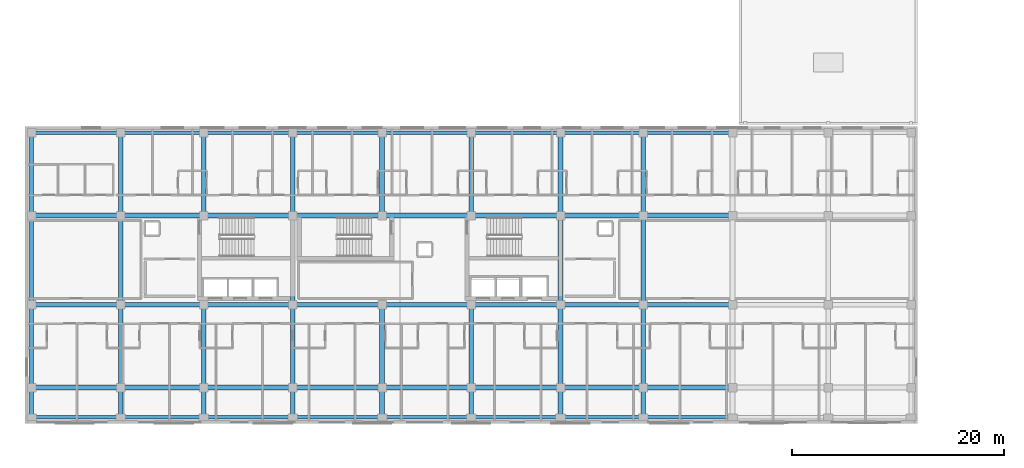
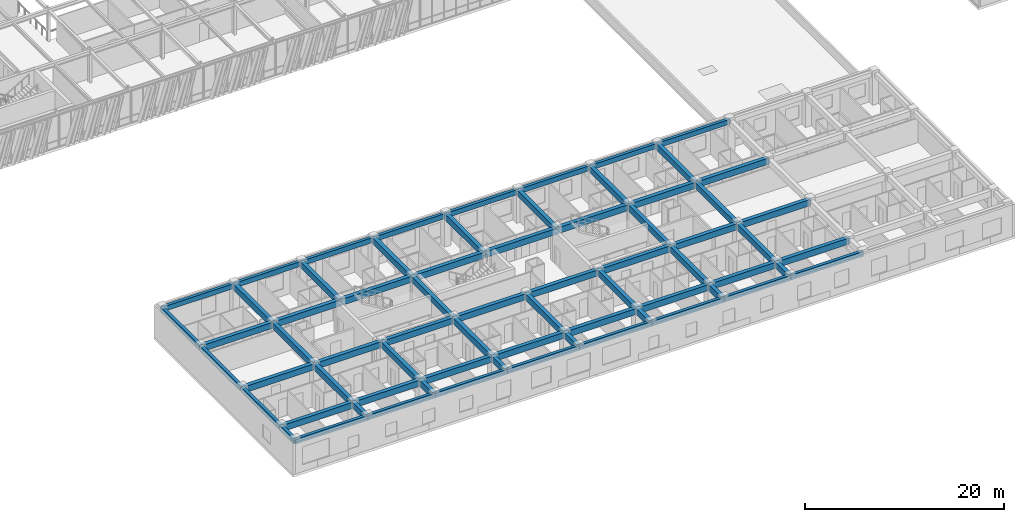
# One storey, part 20 of 127: 69 beams.
"""IFC4 building model written with IfcOpenShell, lengths in metres."""

from ifc_helpers import new_model, si_unit, direction, frame, origin, origin_2d, place, context, subcontext, project, spatial, rectangle, extrude, material, material_profile, profile_set, type_object, element, save


model = new_model("IFC4")

# Units and contexts
model_context = context("Model", 3, precision=1e-05, world=origin(), true_north=direction((0.0, 1.0)))
body_context = subcontext(model_context, "Body", "Model", "MODEL_VIEW")
ifc_project = project(units=[si_unit("LENGTHUNIT", "METRE"), si_unit("AREAUNIT", "SQUARE_METRE"), si_unit("VOLUMEUNIT", "CUBIC_METRE"), si_unit("PLANEANGLEUNIT", "RADIAN"), si_unit("MASSUNIT", "GRAM", prefix="KILO")], contexts=[model_context])

# Site, building, storey
site_placement = place(None, origin())
site = spatial("IfcSite", under=ifc_project, at=site_placement, CompositionType="ELEMENT")
building_placement = place(site_placement, origin())
building = spatial("IfcBuilding", under=site, at=building_placement, Name="Zayran Congress Hotel", CompositionType="ELEMENT")
storey_placement = place(building_placement, frame((0.0, 0.0, 10.800048828125)))
storey = spatial("IfcBuildingStorey", under=building, at=storey_placement, Name="L02", CompositionType="ELEMENT", Elevation=10.800048828125)

# Beams
ifc_material = material(Name="Concrete C40/50", Category="concrete")
ifc_material_profile_1 = material_profile(ifc_material, rectangle(XDim=0.449951171875, YDim=0.75, at=origin_2d()), Name="RC 450x750")
ifc_profile_set_1 = profile_set([ifc_material_profile_1], Name="Concrete C40/50")
beam_type_1 = type_object("IfcBeamType", Name="TP-BM-02", PredefinedType="BEAM", material=ifc_profile_set_1)
beam_1_placement = place(storey_placement, frame((9.0, 9.39990234375, 3.544921875), z_axis=(1.0, 0.0, 0.0), x_axis=(0.0, 1.0, 0.0)))
element("IfcBeam", 1, at=beam_1_placement, inside=storey, type_object=beam_type_1, Name="BM-V5-L02-1778", PredefinedType="BEAM", context=body_context, shape_type="SweptSolid", body=[
    extrude(rectangle(XDim=0.449951171875, YDim=0.75, at=origin_2d()), origin(), (0.0, 0.0, 1.0), 8.39990234375),
])
beam_2_placement = place(storey_placement, frame((17.39990234375, 9.39990234375, 3.544921875), z_axis=(1.0, 0.0, 0.0), x_axis=(0.0, 1.0, 0.0)))
element("IfcBeam", 2, at=beam_2_placement, inside=storey, type_object=beam_type_1, Name="BM-V5-L02-1779", PredefinedType="BEAM", context=body_context, shape_type="SweptSolid", body=[
    extrude(rectangle(XDim=0.449951171875, YDim=0.75, at=origin_2d()), origin(), (0.0, 0.0, 1.0), 7.800048828125),
])
beam_3_placement = place(storey_placement, frame((25.199951171875, 9.39990234375, 3.544921875), z_axis=(1.0, 0.0, 0.0), x_axis=(0.0, 1.0, 0.0)))
element("IfcBeam", 3, at=beam_3_placement, inside=storey, type_object=beam_type_1, Name="BM-V5-L02-1780", PredefinedType="BEAM", context=body_context, shape_type="SweptSolid", body=[
    extrude(rectangle(XDim=0.449951171875, YDim=0.75, at=origin_2d()), origin(), (0.0, 0.0, 1.0), 8.400146484375),
])
for number, where, z_axis, x_axis, name in (
    (4, (33.60009765625, 9.39990234375, 3.544921875), (1.0, 0.0, 0.0), (0.0, 1.0, 0.0), "BM-V5-L02-1781"),
    (5, (42.0, 9.39990234375, 3.544921875), (1.0, 0.0, 0.0), (0.0, 1.0, 0.0), "BM-V5-L02-1782"),
):
    element("IfcBeam", number, at=place(storey_placement, frame(where, z_axis=z_axis, x_axis=x_axis)), inside=storey, type_object=beam_type_1, Name=name, PredefinedType="BEAM", context=body_context, shape_type="SweptSolid", body=[
        extrude(rectangle(XDim=0.449951171875, YDim=0.75, at=origin_2d()), origin(), (0.0, 0.0, 1.0), 8.39990234375),
    ])
beam_4_placement = place(storey_placement, frame((50.39990234375, 9.39990234375, 3.544921875), z_axis=(1.0, 0.0, 0.0), x_axis=(0.0, 1.0, 0.0)))
element("IfcBeam", 6, at=beam_4_placement, inside=storey, type_object=beam_type_1, Name="BM-V5-L02-1783", PredefinedType="BEAM", context=body_context, shape_type="SweptSolid", body=[
    extrude(rectangle(XDim=0.449951171875, YDim=0.75, at=origin_2d()), origin(), (0.0, 0.0, 1.0), 8.400146484375),
])
beam_5_placement = place(storey_placement, frame((58.800048828125, 9.39990234375, 3.544921875), z_axis=(1.0, 0.0, 0.0), x_axis=(0.0, 1.0, 0.0)))
element("IfcBeam", 7, at=beam_5_placement, inside=storey, type_object=beam_type_1, Name="BM-V5-L02-1784", PredefinedType="BEAM", context=body_context, shape_type="SweptSolid", body=[
    extrude(rectangle(XDim=0.449951171875, YDim=0.75, at=origin_2d()), origin(), (0.0, 0.0, 1.0), 7.800048828125),
])
for number, where, z_axis, x_axis, name in (
    (8, (66.60009765625, 9.39990234375, 3.544921875), (1.0, 0.0, 0.0), (0.0, 1.0, 0.0), "BM-V5-L02-1785"),
    (9, (9.0, 17.199951171875, 3.544921875), (1.0, 0.0, 0.0), (0.0, 1.0, 0.0), "BM-V5-L02-1788"),
):
    element("IfcBeam", number, at=place(storey_placement, frame(where, z_axis=z_axis, x_axis=x_axis)), inside=storey, type_object=beam_type_1, Name=name, PredefinedType="BEAM", context=body_context, shape_type="SweptSolid", body=[
        extrude(rectangle(XDim=0.449951171875, YDim=0.75, at=origin_2d()), origin(), (0.0, 0.0, 1.0), 8.39990234375),
    ])
beam_6_placement = place(storey_placement, frame((17.39990234375, 17.199951171875, 3.544921875), z_axis=(1.0, 0.0, 0.0), x_axis=(0.0, 1.0, 0.0)))
element("IfcBeam", 10, at=beam_6_placement, inside=storey, type_object=beam_type_1, Name="BM-V5-L02-1789", PredefinedType="BEAM", context=body_context, shape_type="SweptSolid", body=[
    extrude(rectangle(XDim=0.449951171875, YDim=0.75, at=origin_2d()), origin(), (0.0, 0.0, 1.0), 7.800048828125),
])
beam_7_placement = place(storey_placement, frame((25.199951171875, 17.199951171875, 3.544921875), z_axis=(1.0, 0.0, 0.0), x_axis=(0.0, 1.0, 0.0)))
element("IfcBeam", 11, at=beam_7_placement, inside=storey, type_object=beam_type_1, Name="BM-V5-L02-1790", PredefinedType="BEAM", context=body_context, shape_type="SweptSolid", body=[
    extrude(rectangle(XDim=0.449951171875, YDim=0.75, at=origin_2d()), origin(), (0.0, 0.0, 1.0), 8.400146484375),
])
for number, where, z_axis, x_axis, name in (
    (12, (33.60009765625, 17.199951171875, 3.544921875), (1.0, 0.0, 0.0), (0.0, 1.0, 0.0), "BM-V5-L02-1791"),
    (13, (42.0, 17.199951171875, 3.544921875), (1.0, 0.0, 0.0), (0.0, 1.0, 0.0), "BM-V5-L02-1792"),
):
    element("IfcBeam", number, at=place(storey_placement, frame(where, z_axis=z_axis, x_axis=x_axis)), inside=storey, type_object=beam_type_1, Name=name, PredefinedType="BEAM", context=body_context, shape_type="SweptSolid", body=[
        extrude(rectangle(XDim=0.449951171875, YDim=0.75, at=origin_2d()), origin(), (0.0, 0.0, 1.0), 8.39990234375),
    ])
beam_8_placement = place(storey_placement, frame((50.39990234375, 17.199951171875, 3.544921875), z_axis=(1.0, 0.0, 0.0), x_axis=(0.0, 1.0, 0.0)))
element("IfcBeam", 14, at=beam_8_placement, inside=storey, type_object=beam_type_1, Name="BM-V5-L02-1793", PredefinedType="BEAM", context=body_context, shape_type="SweptSolid", body=[
    extrude(rectangle(XDim=0.449951171875, YDim=0.75, at=origin_2d()), origin(), (0.0, 0.0, 1.0), 8.400146484375),
])
beam_9_placement = place(storey_placement, frame((58.800048828125, 17.199951171875, 3.544921875), z_axis=(1.0, 0.0, 0.0), x_axis=(0.0, 1.0, 0.0)))
element("IfcBeam", 15, at=beam_9_placement, inside=storey, type_object=beam_type_1, Name="BM-V5-L02-1794", PredefinedType="BEAM", context=body_context, shape_type="SweptSolid", body=[
    extrude(rectangle(XDim=0.449951171875, YDim=0.75, at=origin_2d()), origin(), (0.0, 0.0, 1.0), 7.800048828125),
])
for number, where, z_axis, x_axis, name in (
    (16, (66.60009765625, 17.199951171875, 3.544921875), (1.0, 0.0, 0.0), (0.0, 1.0, 0.0), "BM-V5-L02-1795"),
    (17, (9.0, 25.60009765625, 3.544921875), (1.0, 0.0, 0.0), (0.0, 1.0, 0.0), "BM-V5-L02-1798"),
):
    element("IfcBeam", number, at=place(storey_placement, frame(where, z_axis=z_axis, x_axis=x_axis)), inside=storey, type_object=beam_type_1, Name=name, PredefinedType="BEAM", context=body_context, shape_type="SweptSolid", body=[
        extrude(rectangle(XDim=0.449951171875, YDim=0.75, at=origin_2d()), origin(), (0.0, 0.0, 1.0), 8.39990234375),
    ])
beam_10_placement = place(storey_placement, frame((17.39990234375, 25.60009765625, 3.544921875), z_axis=(1.0, 0.0, 0.0), x_axis=(0.0, 1.0, 0.0)))
element("IfcBeam", 18, at=beam_10_placement, inside=storey, type_object=beam_type_1, Name="BM-V5-L02-1799", PredefinedType="BEAM", context=body_context, shape_type="SweptSolid", body=[
    extrude(rectangle(XDim=0.449951171875, YDim=0.75, at=origin_2d()), origin(), (0.0, 0.0, 1.0), 7.800048828125),
])
beam_11_placement = place(storey_placement, frame((25.199951171875, 25.60009765625, 3.544921875), z_axis=(1.0, 0.0, 0.0), x_axis=(0.0, 1.0, 0.0)))
element("IfcBeam", 19, at=beam_11_placement, inside=storey, type_object=beam_type_1, Name="BM-V5-L02-1800", PredefinedType="BEAM", context=body_context, shape_type="SweptSolid", body=[
    extrude(rectangle(XDim=0.449951171875, YDim=0.75, at=origin_2d()), origin(), (0.0, 0.0, 1.0), 8.400146484375),
])
for number, where, z_axis, x_axis, name in (
    (20, (33.60009765625, 25.60009765625, 3.544921875), (1.0, 0.0, 0.0), (0.0, 1.0, 0.0), "BM-V5-L02-1801"),
    (21, (42.0, 25.60009765625, 3.544921875), (1.0, 0.0, 0.0), (0.0, 1.0, 0.0), "BM-V5-L02-1802"),
):
    element("IfcBeam", number, at=place(storey_placement, frame(where, z_axis=z_axis, x_axis=x_axis)), inside=storey, type_object=beam_type_1, Name=name, PredefinedType="BEAM", context=body_context, shape_type="SweptSolid", body=[
        extrude(rectangle(XDim=0.449951171875, YDim=0.75, at=origin_2d()), origin(), (0.0, 0.0, 1.0), 8.39990234375),
    ])
beam_12_placement = place(storey_placement, frame((50.39990234375, 25.60009765625, 3.544921875), z_axis=(1.0, 0.0, 0.0), x_axis=(0.0, 1.0, 0.0)))
element("IfcBeam", 22, at=beam_12_placement, inside=storey, type_object=beam_type_1, Name="BM-V5-L02-1803", PredefinedType="BEAM", context=body_context, shape_type="SweptSolid", body=[
    extrude(rectangle(XDim=0.449951171875, YDim=0.75, at=origin_2d()), origin(), (0.0, 0.0, 1.0), 8.400146484375),
])
beam_13_placement = place(storey_placement, frame((58.800048828125, 25.60009765625, 3.544921875), z_axis=(1.0, 0.0, 0.0), x_axis=(0.0, 1.0, 0.0)))
element("IfcBeam", 23, at=beam_13_placement, inside=storey, type_object=beam_type_1, Name="BM-V5-L02-1804", PredefinedType="BEAM", context=body_context, shape_type="SweptSolid", body=[
    extrude(rectangle(XDim=0.449951171875, YDim=0.75, at=origin_2d()), origin(), (0.0, 0.0, 1.0), 7.800048828125),
])
beam_14_placement = place(storey_placement, frame((66.60009765625, 25.60009765625, 3.544921875), z_axis=(1.0, 0.0, 0.0), x_axis=(0.0, 1.0, 0.0)))
element("IfcBeam", 24, at=beam_14_placement, inside=storey, type_object=beam_type_1, Name="BM-V5-L02-1805", PredefinedType="BEAM", context=body_context, shape_type="SweptSolid", body=[
    extrude(rectangle(XDim=0.449951171875, YDim=0.75, at=origin_2d()), origin(), (0.0, 0.0, 1.0), 8.39990234375),
])
beam_15_placement = place(storey_placement, frame((17.39990234375, 6.60009765625, 3.544921875), z_axis=(0.0, 1.0, 0.0), x_axis=(-1.0, 0.0, 0.0)))
element("IfcBeam", 25, at=beam_15_placement, inside=storey, type_object=beam_type_1, Name="BM-V5-L02-1822", PredefinedType="BEAM", context=body_context, shape_type="SweptSolid", body=[
    extrude(rectangle(XDim=0.449951171875, YDim=0.75, at=origin_2d()), origin(), (0.0, 0.0, 1.0), 2.7998046875),
])
beam_16_placement = place(storey_placement, frame((17.39990234375, 9.39990234375, 3.544921875), z_axis=(0.0, 1.0, 0.0), x_axis=(-1.0, 0.0, 0.0)))
element("IfcBeam", 26, at=beam_16_placement, inside=storey, type_object=beam_type_1, Name="BM-V5-L02-1823", PredefinedType="BEAM", context=body_context, shape_type="SweptSolid", body=[
    extrude(rectangle(XDim=0.449951171875, YDim=0.75, at=origin_2d()), origin(), (0.0, 0.0, 1.0), 7.800048828125),
])
beam_17_placement = place(storey_placement, frame((17.39990234375, 17.199951171875, 3.544921875), z_axis=(0.0, 1.0, 0.0), x_axis=(-1.0, 0.0, 0.0)))
element("IfcBeam", 27, at=beam_17_placement, inside=storey, type_object=beam_type_1, Name="BM-V5-L02-1824", PredefinedType="BEAM", context=body_context, shape_type="SweptSolid", body=[
    extrude(rectangle(XDim=0.449951171875, YDim=0.75, at=origin_2d()), origin(), (0.0, 0.0, 1.0), 8.400146484375),
])
beam_18_placement = place(storey_placement, frame((17.39990234375, 25.60009765625, 3.544921875), z_axis=(0.0, 1.0, 0.0), x_axis=(-1.0, 0.0, 0.0)))
element("IfcBeam", 28, at=beam_18_placement, inside=storey, type_object=beam_type_1, Name="BM-V5-L02-1825", PredefinedType="BEAM", context=body_context, shape_type="SweptSolid", body=[
    extrude(rectangle(XDim=0.449951171875, YDim=0.75, at=origin_2d()), origin(), (0.0, 0.0, 1.0), 7.7998046875),
])
beam_19_placement = place(storey_placement, frame((25.199951171875, 6.60009765625, 3.544921875), z_axis=(0.0, 1.0, 0.0), x_axis=(-1.0, 0.0, 0.0)))
element("IfcBeam", 29, at=beam_19_placement, inside=storey, type_object=beam_type_1, Name="BM-V5-L02-1826", PredefinedType="BEAM", context=body_context, shape_type="SweptSolid", body=[
    extrude(rectangle(XDim=0.449951171875, YDim=0.75, at=origin_2d()), origin(), (0.0, 0.0, 1.0), 2.7998046875),
])
beam_20_placement = place(storey_placement, frame((25.199951171875, 9.39990234375, 3.544921875), z_axis=(0.0, 1.0, 0.0), x_axis=(-1.0, 0.0, 0.0)))
element("IfcBeam", 30, at=beam_20_placement, inside=storey, type_object=beam_type_1, Name="BM-V5-L02-1827", PredefinedType="BEAM", context=body_context, shape_type="SweptSolid", body=[
    extrude(rectangle(XDim=0.449951171875, YDim=0.75, at=origin_2d()), origin(), (0.0, 0.0, 1.0), 7.800048828125),
])
beam_21_placement = place(storey_placement, frame((25.199951171875, 25.60009765625, 3.544921875), z_axis=(0.0, 1.0, 0.0), x_axis=(-1.0, 0.0, 0.0)))
element("IfcBeam", 31, at=beam_21_placement, inside=storey, type_object=beam_type_1, Name="BM-V5-L02-1828", PredefinedType="BEAM", context=body_context, shape_type="SweptSolid", body=[
    extrude(rectangle(XDim=0.449951171875, YDim=0.75, at=origin_2d()), origin(), (0.0, 0.0, 1.0), 7.7998046875),
])
beam_22_placement = place(storey_placement, frame((33.60009765625, 6.60009765625, 3.544921875), z_axis=(0.0, 1.0, 0.0), x_axis=(-1.0, 0.0, 0.0)))
element("IfcBeam", 32, at=beam_22_placement, inside=storey, type_object=beam_type_1, Name="BM-V5-L02-1829", PredefinedType="BEAM", context=body_context, shape_type="SweptSolid", body=[
    extrude(rectangle(XDim=0.449951171875, YDim=0.75, at=origin_2d()), origin(), (0.0, 0.0, 1.0), 2.7998046875),
])
beam_23_placement = place(storey_placement, frame((33.60009765625, 9.39990234375, 3.544921875), z_axis=(0.0, 1.0, 0.0), x_axis=(-1.0, 0.0, 0.0)))
element("IfcBeam", 33, at=beam_23_placement, inside=storey, type_object=beam_type_1, Name="BM-V5-L02-1830", PredefinedType="BEAM", context=body_context, shape_type="SweptSolid", body=[
    extrude(rectangle(XDim=0.449951171875, YDim=0.75, at=origin_2d()), origin(), (0.0, 0.0, 1.0), 7.800048828125),
])
beam_24_placement = place(storey_placement, frame((33.60009765625, 17.199951171875, 3.544921875), z_axis=(0.0, 1.0, 0.0), x_axis=(-1.0, 0.0, 0.0)))
element("IfcBeam", 34, at=beam_24_placement, inside=storey, type_object=beam_type_1, Name="BM-V5-L02-1831", PredefinedType="BEAM", context=body_context, shape_type="SweptSolid", body=[
    extrude(rectangle(XDim=0.449951171875, YDim=0.75, at=origin_2d()), origin(), (0.0, 0.0, 1.0), 8.400146484375),
])
beam_25_placement = place(storey_placement, frame((33.60009765625, 25.60009765625, 3.544921875), z_axis=(0.0, 1.0, 0.0), x_axis=(-1.0, 0.0, 0.0)))
element("IfcBeam", 35, at=beam_25_placement, inside=storey, type_object=beam_type_1, Name="BM-V5-L02-1832", PredefinedType="BEAM", context=body_context, shape_type="SweptSolid", body=[
    extrude(rectangle(XDim=0.449951171875, YDim=0.75, at=origin_2d()), origin(), (0.0, 0.0, 1.0), 7.7998046875),
])
beam_26_placement = place(storey_placement, frame((42.0, 6.60009765625, 3.544921875), z_axis=(0.0, 1.0, 0.0), x_axis=(-1.0, 0.0, 0.0)))
element("IfcBeam", 36, at=beam_26_placement, inside=storey, type_object=beam_type_1, Name="BM-V5-L02-1833", PredefinedType="BEAM", context=body_context, shape_type="SweptSolid", body=[
    extrude(rectangle(XDim=0.449951171875, YDim=0.75, at=origin_2d()), origin(), (0.0, 0.0, 1.0), 2.7998046875),
])
beam_27_placement = place(storey_placement, frame((42.0, 9.39990234375, 3.544921875), z_axis=(0.0, 1.0, 0.0), x_axis=(-1.0, 0.0, 0.0)))
element("IfcBeam", 37, at=beam_27_placement, inside=storey, type_object=beam_type_1, Name="BM-V5-L02-1834", PredefinedType="BEAM", context=body_context, shape_type="SweptSolid", body=[
    extrude(rectangle(XDim=0.449951171875, YDim=0.75, at=origin_2d()), origin(), (0.0, 0.0, 1.0), 7.800048828125),
])
beam_28_placement = place(storey_placement, frame((42.0, 25.60009765625, 3.544921875), z_axis=(0.0, 1.0, 0.0), x_axis=(-1.0, 0.0, 0.0)))
element("IfcBeam", 38, at=beam_28_placement, inside=storey, type_object=beam_type_1, Name="BM-V5-L02-1836", PredefinedType="BEAM", context=body_context, shape_type="SweptSolid", body=[
    extrude(rectangle(XDim=0.449951171875, YDim=0.75, at=origin_2d()), origin(), (0.0, 0.0, 1.0), 7.7998046875),
])
beam_29_placement = place(storey_placement, frame((50.39990234375, 6.60009765625, 3.544921875), z_axis=(0.0, 1.0, 0.0), x_axis=(-1.0, 0.0, 0.0)))
element("IfcBeam", 39, at=beam_29_placement, inside=storey, type_object=beam_type_1, Name="BM-V5-L02-1837", PredefinedType="BEAM", context=body_context, shape_type="SweptSolid", body=[
    extrude(rectangle(XDim=0.449951171875, YDim=0.75, at=origin_2d()), origin(), (0.0, 0.0, 1.0), 2.7998046875),
])
beam_30_placement = place(storey_placement, frame((50.39990234375, 9.39990234375, 3.544921875), z_axis=(0.0, 1.0, 0.0), x_axis=(-1.0, 0.0, 0.0)))
element("IfcBeam", 40, at=beam_30_placement, inside=storey, type_object=beam_type_1, Name="BM-V5-L02-1838", PredefinedType="BEAM", context=body_context, shape_type="SweptSolid", body=[
    extrude(rectangle(XDim=0.449951171875, YDim=0.75, at=origin_2d()), origin(), (0.0, 0.0, 1.0), 7.800048828125),
])
beam_31_placement = place(storey_placement, frame((50.39990234375, 25.60009765625, 3.544921875), z_axis=(0.0, 1.0, 0.0), x_axis=(-1.0, 0.0, 0.0)))
element("IfcBeam", 41, at=beam_31_placement, inside=storey, type_object=beam_type_1, Name="BM-V5-L02-1839", PredefinedType="BEAM", context=body_context, shape_type="SweptSolid", body=[
    extrude(rectangle(XDim=0.449951171875, YDim=0.75, at=origin_2d()), origin(), (0.0, 0.0, 1.0), 7.7998046875),
])
beam_32_placement = place(storey_placement, frame((58.800048828125, 6.60009765625, 3.544921875), z_axis=(0.0, 1.0, 0.0), x_axis=(-1.0, 0.0, 0.0)))
element("IfcBeam", 42, at=beam_32_placement, inside=storey, type_object=beam_type_1, Name="BM-V5-L02-1840", PredefinedType="BEAM", context=body_context, shape_type="SweptSolid", body=[
    extrude(rectangle(XDim=0.449951171875, YDim=0.75, at=origin_2d()), origin(), (0.0, 0.0, 1.0), 2.7998046875),
])
beam_33_placement = place(storey_placement, frame((58.800048828125, 9.39990234375, 3.544921875), z_axis=(0.0, 1.0, 0.0), x_axis=(-1.0, 0.0, 0.0)))
element("IfcBeam", 43, at=beam_33_placement, inside=storey, type_object=beam_type_1, Name="BM-V5-L02-1841", PredefinedType="BEAM", context=body_context, shape_type="SweptSolid", body=[
    extrude(rectangle(XDim=0.449951171875, YDim=0.75, at=origin_2d()), origin(), (0.0, 0.0, 1.0), 7.800048828125),
])
beam_34_placement = place(storey_placement, frame((58.800048828125, 17.199951171875, 3.544921875), z_axis=(0.0, 1.0, 0.0), x_axis=(-1.0, 0.0, 0.0)))
element("IfcBeam", 44, at=beam_34_placement, inside=storey, type_object=beam_type_1, Name="BM-V5-L02-1842", PredefinedType="BEAM", context=body_context, shape_type="SweptSolid", body=[
    extrude(rectangle(XDim=0.449951171875, YDim=0.75, at=origin_2d()), origin(), (0.0, 0.0, 1.0), 8.400146484375),
])
beam_35_placement = place(storey_placement, frame((58.800048828125, 25.60009765625, 3.544921875), z_axis=(0.0, 1.0, 0.0), x_axis=(-1.0, 0.0, 0.0)))
element("IfcBeam", 45, at=beam_35_placement, inside=storey, type_object=beam_type_1, Name="BM-V5-L02-1843", PredefinedType="BEAM", context=body_context, shape_type="SweptSolid", body=[
    extrude(rectangle(XDim=0.449951171875, YDim=0.75, at=origin_2d()), origin(), (0.0, 0.0, 1.0), 7.7998046875),
])
beam_36_placement = place(storey_placement, frame((66.60009765625, 6.60009765625, 3.544921875), z_axis=(0.0, 1.0, 0.0), x_axis=(-1.0, 0.0, 0.0)))
element("IfcBeam", 46, at=beam_36_placement, inside=storey, type_object=beam_type_1, Name="BM-V5-L02-1844", PredefinedType="BEAM", context=body_context, shape_type="SweptSolid", body=[
    extrude(rectangle(XDim=0.449951171875, YDim=0.75, at=origin_2d()), origin(), (0.0, 0.0, 1.0), 2.7998046875),
])
beam_37_placement = place(storey_placement, frame((66.60009765625, 9.39990234375, 3.544921875), z_axis=(0.0, 1.0, 0.0), x_axis=(-1.0, 0.0, 0.0)))
element("IfcBeam", 47, at=beam_37_placement, inside=storey, type_object=beam_type_1, Name="BM-V5-L02-1845", PredefinedType="BEAM", context=body_context, shape_type="SweptSolid", body=[
    extrude(rectangle(XDim=0.449951171875, YDim=0.75, at=origin_2d()), origin(), (0.0, 0.0, 1.0), 7.800048828125),
])
beam_38_placement = place(storey_placement, frame((66.60009765625, 17.199951171875, 3.544921875), z_axis=(0.0, 1.0, 0.0), x_axis=(-1.0, 0.0, 0.0)))
element("IfcBeam", 48, at=beam_38_placement, inside=storey, type_object=beam_type_1, Name="BM-V5-L02-1846", PredefinedType="BEAM", context=body_context, shape_type="SweptSolid", body=[
    extrude(rectangle(XDim=0.449951171875, YDim=0.75, at=origin_2d()), origin(), (0.0, 0.0, 1.0), 8.400146484375),
])
beam_39_placement = place(storey_placement, frame((66.60009765625, 25.60009765625, 3.544921875), z_axis=(0.0, 1.0, 0.0), x_axis=(-1.0, 0.0, 0.0)))
element("IfcBeam", 49, at=beam_39_placement, inside=storey, type_object=beam_type_1, Name="BM-V5-L02-1847", PredefinedType="BEAM", context=body_context, shape_type="SweptSolid", body=[
    extrude(rectangle(XDim=0.449951171875, YDim=0.75, at=origin_2d()), origin(), (0.0, 0.0, 1.0), 7.7998046875),
])
ifc_material_profile_2 = material_profile(ifc_material, rectangle(XDim=0.35009765625, YDim=0.60009765625, at=origin_2d()), Name="RC 350x600")
ifc_profile_set_2 = profile_set([ifc_material_profile_2], Name="Concrete C40/50")
beam_type_2 = type_object("IfcBeamType", Name="TP-SP-01", PredefinedType="SPANDREL", material=ifc_profile_set_2)
beam_40_placement = place(storey_placement, frame((9.0, 6.60009765625, 3.619873046875), z_axis=(1.0, 0.0, 0.0), x_axis=(0.0, 1.0, 0.0)))
element("IfcBeam", 50, at=beam_40_placement, inside=storey, type_object=beam_type_2, Name="BM-V5-L02-1768", PredefinedType="SPANDREL", context=body_context, shape_type="SweptSolid", body=[
    extrude(rectangle(XDim=0.35009765625, YDim=0.60009765625, at=origin_2d()), origin(), (0.0, 0.0, 1.0), 8.39990234375),
])
beam_41_placement = place(storey_placement, frame((17.39990234375, 6.60009765625, 3.619873046875), z_axis=(1.0, 0.0, 0.0), x_axis=(0.0, 1.0, 0.0)))
element("IfcBeam", 51, at=beam_41_placement, inside=storey, type_object=beam_type_2, Name="BM-V5-L02-1769", PredefinedType="SPANDREL", context=body_context, shape_type="SweptSolid", body=[
    extrude(rectangle(XDim=0.35009765625, YDim=0.60009765625, at=origin_2d()), origin(), (0.0, 0.0, 1.0), 7.800048828125),
])
beam_42_placement = place(storey_placement, frame((25.199951171875, 6.60009765625, 3.619873046875), z_axis=(1.0, 0.0, 0.0), x_axis=(0.0, 1.0, 0.0)))
element("IfcBeam", 52, at=beam_42_placement, inside=storey, type_object=beam_type_2, Name="BM-V5-L02-1770", PredefinedType="SPANDREL", context=body_context, shape_type="SweptSolid", body=[
    extrude(rectangle(XDim=0.35009765625, YDim=0.60009765625, at=origin_2d()), origin(), (0.0, 0.0, 1.0), 8.400146484375),
])
for number, where, z_axis, x_axis, name in (
    (53, (33.60009765625, 6.60009765625, 3.619873046875), (1.0, 0.0, 0.0), (0.0, 1.0, 0.0), "BM-V5-L02-1771"),
    (54, (42.0, 6.60009765625, 3.619873046875), (1.0, 0.0, 0.0), (0.0, 1.0, 0.0), "BM-V5-L02-1772"),
):
    element("IfcBeam", number, at=place(storey_placement, frame(where, z_axis=z_axis, x_axis=x_axis)), inside=storey, type_object=beam_type_2, Name=name, PredefinedType="SPANDREL", context=body_context, shape_type="SweptSolid", body=[
        extrude(rectangle(XDim=0.35009765625, YDim=0.60009765625, at=origin_2d()), origin(), (0.0, 0.0, 1.0), 8.39990234375),
    ])
beam_43_placement = place(storey_placement, frame((50.39990234375, 6.60009765625, 3.619873046875), z_axis=(1.0, 0.0, 0.0), x_axis=(0.0, 1.0, 0.0)))
element("IfcBeam", 55, at=beam_43_placement, inside=storey, type_object=beam_type_2, Name="BM-V5-L02-1773", PredefinedType="SPANDREL", context=body_context, shape_type="SweptSolid", body=[
    extrude(rectangle(XDim=0.35009765625, YDim=0.60009765625, at=origin_2d()), origin(), (0.0, 0.0, 1.0), 8.400146484375),
])
beam_44_placement = place(storey_placement, frame((58.800048828125, 6.60009765625, 3.619873046875), z_axis=(1.0, 0.0, 0.0), x_axis=(0.0, 1.0, 0.0)))
element("IfcBeam", 56, at=beam_44_placement, inside=storey, type_object=beam_type_2, Name="BM-V5-L02-1774", PredefinedType="SPANDREL", context=body_context, shape_type="SweptSolid", body=[
    extrude(rectangle(XDim=0.35009765625, YDim=0.60009765625, at=origin_2d()), origin(), (0.0, 0.0, 1.0), 7.800048828125),
])
for number, where, z_axis, x_axis, name in (
    (57, (66.60009765625, 6.60009765625, 3.619873046875), (1.0, 0.0, 0.0), (0.0, 1.0, 0.0), "BM-V5-L02-1775"),
    (58, (9.0, 33.39990234375, 3.619873046875), (1.0, 0.0, 0.0), (0.0, 1.0, 0.0), "BM-V5-L02-1808"),
):
    element("IfcBeam", number, at=place(storey_placement, frame(where, z_axis=z_axis, x_axis=x_axis)), inside=storey, type_object=beam_type_2, Name=name, PredefinedType="SPANDREL", context=body_context, shape_type="SweptSolid", body=[
        extrude(rectangle(XDim=0.35009765625, YDim=0.60009765625, at=origin_2d()), origin(), (0.0, 0.0, 1.0), 8.39990234375),
    ])
beam_45_placement = place(storey_placement, frame((17.39990234375, 33.39990234375, 3.619873046875), z_axis=(1.0, 0.0, 0.0), x_axis=(0.0, 1.0, 0.0)))
element("IfcBeam", 59, at=beam_45_placement, inside=storey, type_object=beam_type_2, Name="BM-V5-L02-1809", PredefinedType="SPANDREL", context=body_context, shape_type="SweptSolid", body=[
    extrude(rectangle(XDim=0.35009765625, YDim=0.60009765625, at=origin_2d()), origin(), (0.0, 0.0, 1.0), 7.800048828125),
])
beam_46_placement = place(storey_placement, frame((25.199951171875, 33.39990234375, 3.619873046875), z_axis=(1.0, 0.0, 0.0), x_axis=(0.0, 1.0, 0.0)))
element("IfcBeam", 60, at=beam_46_placement, inside=storey, type_object=beam_type_2, Name="BM-V5-L02-1810", PredefinedType="SPANDREL", context=body_context, shape_type="SweptSolid", body=[
    extrude(rectangle(XDim=0.35009765625, YDim=0.60009765625, at=origin_2d()), origin(), (0.0, 0.0, 1.0), 8.400146484375),
])
for number, where, z_axis, x_axis, name in (
    (61, (33.60009765625, 33.39990234375, 3.619873046875), (1.0, 0.0, 0.0), (0.0, 1.0, 0.0), "BM-V5-L02-1811"),
    (62, (42.0, 33.39990234375, 3.619873046875), (1.0, 0.0, 0.0), (0.0, 1.0, 0.0), "BM-V5-L02-1812"),
):
    element("IfcBeam", number, at=place(storey_placement, frame(where, z_axis=z_axis, x_axis=x_axis)), inside=storey, type_object=beam_type_2, Name=name, PredefinedType="SPANDREL", context=body_context, shape_type="SweptSolid", body=[
        extrude(rectangle(XDim=0.35009765625, YDim=0.60009765625, at=origin_2d()), origin(), (0.0, 0.0, 1.0), 8.39990234375),
    ])
beam_47_placement = place(storey_placement, frame((50.39990234375, 33.39990234375, 3.619873046875), z_axis=(1.0, 0.0, 0.0), x_axis=(0.0, 1.0, 0.0)))
element("IfcBeam", 63, at=beam_47_placement, inside=storey, type_object=beam_type_2, Name="BM-V5-L02-1813", PredefinedType="SPANDREL", context=body_context, shape_type="SweptSolid", body=[
    extrude(rectangle(XDim=0.35009765625, YDim=0.60009765625, at=origin_2d()), origin(), (0.0, 0.0, 1.0), 8.400146484375),
])
beam_48_placement = place(storey_placement, frame((58.800048828125, 33.39990234375, 3.619873046875), z_axis=(1.0, 0.0, 0.0), x_axis=(0.0, 1.0, 0.0)))
element("IfcBeam", 64, at=beam_48_placement, inside=storey, type_object=beam_type_2, Name="BM-V5-L02-1814", PredefinedType="SPANDREL", context=body_context, shape_type="SweptSolid", body=[
    extrude(rectangle(XDim=0.35009765625, YDim=0.60009765625, at=origin_2d()), origin(), (0.0, 0.0, 1.0), 7.800048828125),
])
beam_49_placement = place(storey_placement, frame((66.60009765625, 33.39990234375, 3.619873046875), z_axis=(1.0, 0.0, 0.0), x_axis=(0.0, 1.0, 0.0)))
element("IfcBeam", 65, at=beam_49_placement, inside=storey, type_object=beam_type_2, Name="BM-V5-L02-1815", PredefinedType="SPANDREL", context=body_context, shape_type="SweptSolid", body=[
    extrude(rectangle(XDim=0.35009765625, YDim=0.60009765625, at=origin_2d()), origin(), (0.0, 0.0, 1.0), 8.39990234375),
])
beam_50_placement = place(storey_placement, frame((9.0, 6.60009765625, 3.619873046875), z_axis=(0.0, 1.0, 0.0), x_axis=(-1.0, 0.0, 0.0)))
element("IfcBeam", 66, at=beam_50_placement, inside=storey, type_object=beam_type_2, Name="BM-V5-L02-1818", PredefinedType="SPANDREL", context=body_context, shape_type="SweptSolid", body=[
    extrude(rectangle(XDim=0.35009765625, YDim=0.60009765625, at=origin_2d()), origin(), (0.0, 0.0, 1.0), 2.7998046875),
])
beam_51_placement = place(storey_placement, frame((9.0, 9.39990234375, 3.619873046875), z_axis=(0.0, 1.0, 0.0), x_axis=(-1.0, 0.0, 0.0)))
element("IfcBeam", 67, at=beam_51_placement, inside=storey, type_object=beam_type_2, Name="BM-V5-L02-1819", PredefinedType="SPANDREL", context=body_context, shape_type="SweptSolid", body=[
    extrude(rectangle(XDim=0.35009765625, YDim=0.60009765625, at=origin_2d()), origin(), (0.0, 0.0, 1.0), 7.800048828125),
])
beam_52_placement = place(storey_placement, frame((9.0, 17.199951171875, 3.619873046875), z_axis=(0.0, 1.0, 0.0), x_axis=(-1.0, 0.0, 0.0)))
element("IfcBeam", 68, at=beam_52_placement, inside=storey, type_object=beam_type_2, Name="BM-V5-L02-1820", PredefinedType="SPANDREL", context=body_context, shape_type="SweptSolid", body=[
    extrude(rectangle(XDim=0.35009765625, YDim=0.60009765625, at=origin_2d()), origin(), (0.0, 0.0, 1.0), 8.400146484375),
])
beam_53_placement = place(storey_placement, frame((9.0, 25.60009765625, 3.619873046875), z_axis=(0.0, 1.0, 0.0), x_axis=(-1.0, 0.0, 0.0)))
element("IfcBeam", 69, at=beam_53_placement, inside=storey, type_object=beam_type_2, Name="BM-V5-L02-1821", PredefinedType="SPANDREL", context=body_context, shape_type="SweptSolid", body=[
    extrude(rectangle(XDim=0.35009765625, YDim=0.60009765625, at=origin_2d()), origin(), (0.0, 0.0, 1.0), 7.7998046875),
])

save(model, "model.ifc")
